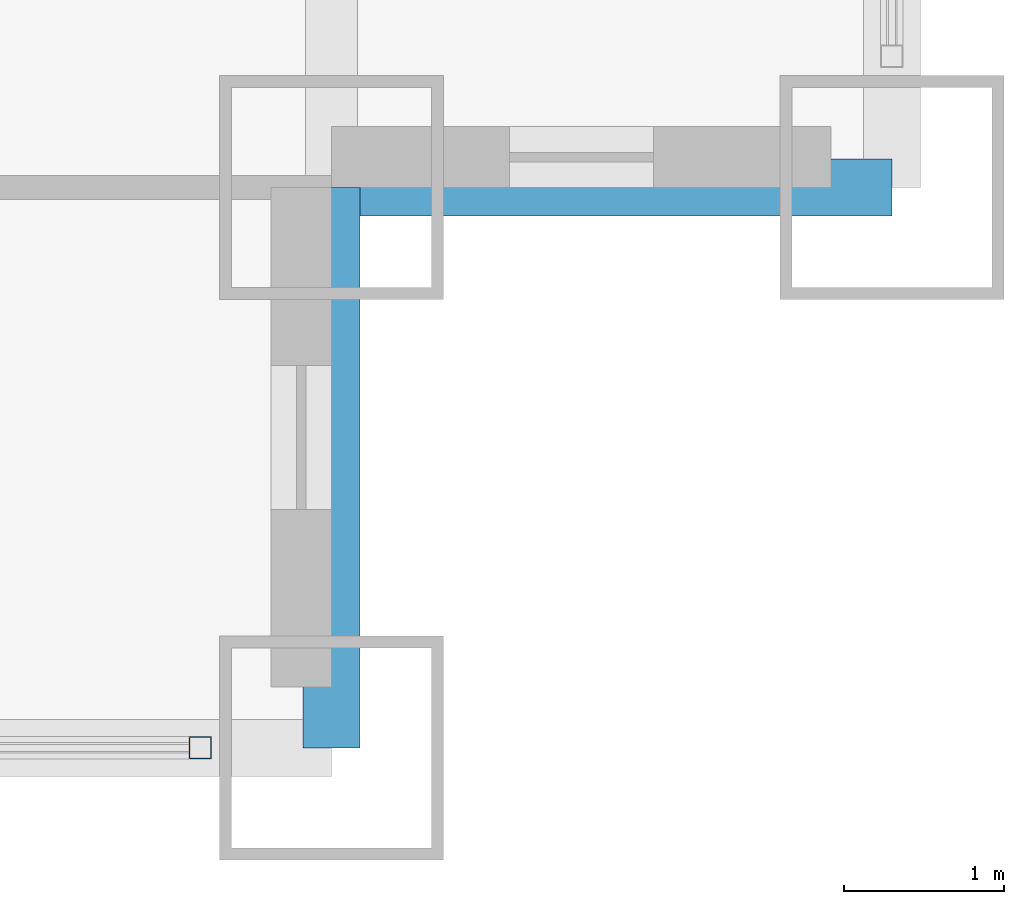
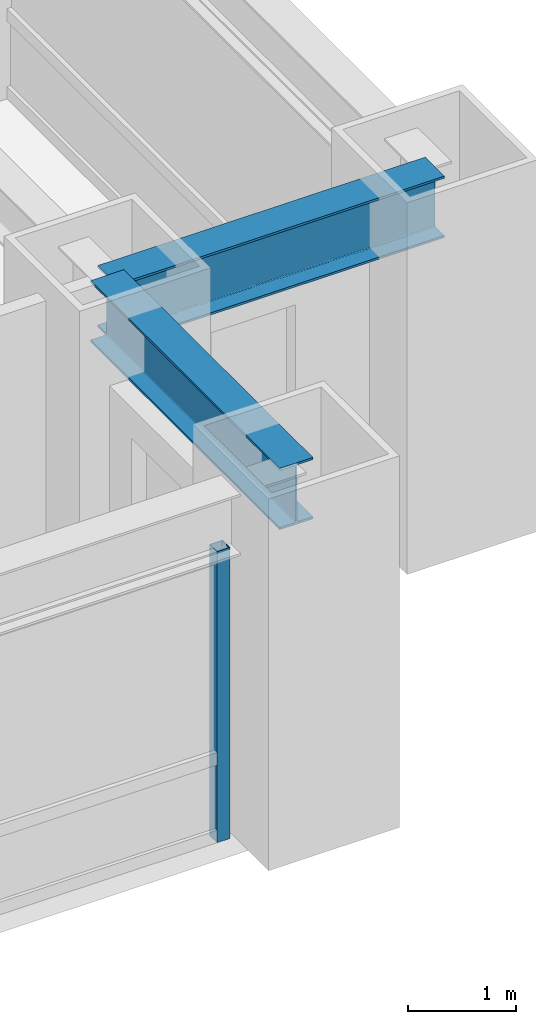
# One storey, part 10 of 28: 2 beams, 1 member, 1 element without a shape of its own.
"""IFC4 building model written with IfcOpenShell, lengths in metres."""

from ifc_helpers import new_model, si_unit, direction, frame, origin, origin_2d, place, context, subcontext, project, spatial, hollow_rectangle, i_section, extrude, source, transform, mapped, material, material_profile, profile_set, type_object, element, aggregate, save


model = new_model("IFC4")

# Units and contexts
model_context = context("Model", 3, precision=1e-05, world=origin(), true_north=direction((0.0, 1.0)))
body_context = subcontext(model_context, "Body", "Model", "MODEL_VIEW")
ifc_project = project(units=[si_unit("LENGTHUNIT", "METRE"), si_unit("AREAUNIT", "SQUARE_METRE"), si_unit("VOLUMEUNIT", "CUBIC_METRE"), si_unit("PLANEANGLEUNIT", "RADIAN"), si_unit("MASSUNIT", "GRAM", prefix="KILO")], contexts=[model_context])

# Site, building, storey
site_placement = place(None, origin())
site = spatial("IfcSite", under=ifc_project, at=site_placement, CompositionType="ELEMENT")
building_placement = place(site_placement, origin())
building = spatial("IfcBuilding", under=site, at=building_placement, Name="Khorayat Bourse Tower", CompositionType="ELEMENT")
storey_placement = place(building_placement, frame((0.0, 0.0, 62.0)))
storey = spatial("IfcBuildingStorey", under=building, at=storey_placement, Name="L13", CompositionType="ELEMENT", Elevation=62.0)

# Beams
ifc_material_1 = material(Name="Steel ASTM A992 Grade 50", Category="steel")
ifc_material_profile_1 = material_profile(ifc_material_1, i_section(OverallWidth=0.35498046875, OverallDepth=0.695068359375, WebThickness=0.015380859375, FlangeThickness=0.02490234375, FilletRadius=0.01806640625, at=origin_2d()), Name="W690X217")
ifc_profile_set_1 = profile_set([ifc_material_profile_1], Name="Steel ASTM A992 Grade 50")
beam_type = type_object("IfcBeamType", Name="BM-SPAN-690", PredefinedType="SPANDREL", material=ifc_profile_set_1)
shared_shape_1 = source(origin(), body_context, "Body", "SweptSolid", [
    extrude(i_section(OverallWidth=0.35498046875, OverallDepth=0.695068359375, WebThickness=0.015380859375, FlangeThickness=0.02490234375, FilletRadius=0.01806640625, at=origin_2d()), origin(), (0.0, 0.0, 1.0), 3.5),
])
for number, where, z_axis, x_axis, name in (
    (1, (28.5, -32.0, 3.592529296875), (0.0, 1.0, 0.0), (-1.0, 0.0, 0.0), "L13 BM-SPAN-690 BM-L13-SPN-032"),
    (2, (28.5, -28.5, 3.592529296875), (1.0, 0.0, 0.0), (0.0, 1.0, 0.0), "L13 BM-SPAN-690 BM-L13-SPN-033"),
):
    element("IfcBeam", number, at=place(storey_placement, frame(where, z_axis=z_axis, x_axis=x_axis)), inside=storey, type_object=beam_type, Name=name, PredefinedType="SPANDREL", context=body_context, shape_type="MappedRepresentation", body=[
        mapped(shared_shape_1, transform((0.0, 0.0, 0.0), scale=1.0)),
    ])

# Curtain wall, member
ifc_material_2 = material(Name="Aluminium EN AW-6063 T6", Category="aluminium")
curtain_wall_type = type_object("IfcCurtainWallType", Name="CW-SYS-02", PredefinedType="NOTDEFINED", material=ifc_material_2)
curtain_wall_placement = place(storey_placement, origin())
curtain_wall = element("IfcCurtainWall", 3, at=curtain_wall_placement, inside=storey, type_object=curtain_wall_type, Name="L13 Curtain Wall CW-L13-S1", PredefinedType="NOTDEFINED")
ifc_material_profile_2 = material_profile(ifc_material_2, hollow_rectangle(XDim=0.139892578125, YDim=0.139892578125, WallThickness=0.006103515625, at=origin_2d()), Name="ALU 140x140x6")
ifc_profile_set_2 = profile_set([ifc_material_profile_2], Name="Aluminium EN AW-6063 T6")
member_type = type_object("IfcMemberType", Name="CWM-VERT-140", PredefinedType="MULLION", material=ifc_profile_set_2)
shared_shape_2 = source(origin(), body_context, "Body", "SweptSolid", [
    extrude(hollow_rectangle(XDim=0.139892578125, YDim=0.139892578125, WallThickness=0.006103515625, at=origin_2d()), origin(), (0.0, 0.0, 1.0), 3.2900390625),
])
member_placement = place(storey_placement, frame((27.679931640625, -32.0, 0.0), z_axis=(0.0, 0.0, 1.0), x_axis=(0.0, 1.0, 0.0)))
member = element("IfcMember", 4, at=member_placement, type_object=member_type, Name="CW-L13-S1 Vertical Mullion 4", PredefinedType="MULLION", context=body_context, shape_type="MappedRepresentation", body=[
    mapped(shared_shape_2, transform((0.0, 0.0, 0.0), scale=1.0)),
])
aggregate(curtain_wall, [member])

save(model, "model.ifc")
